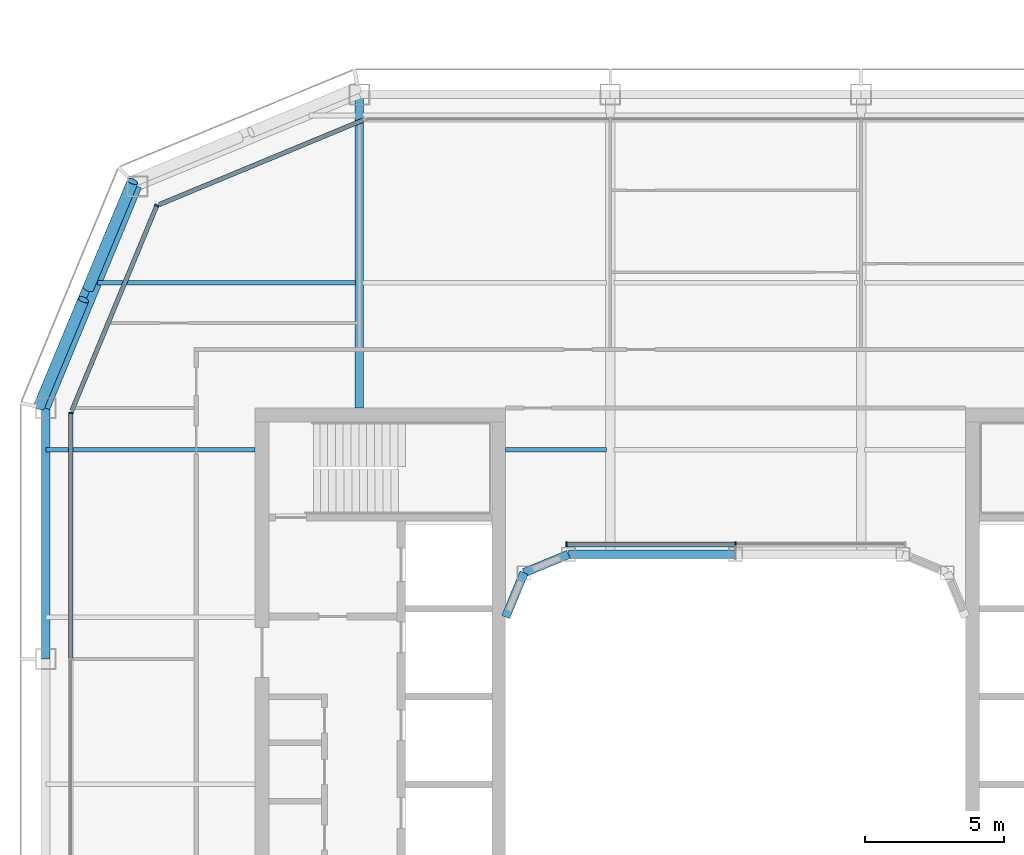
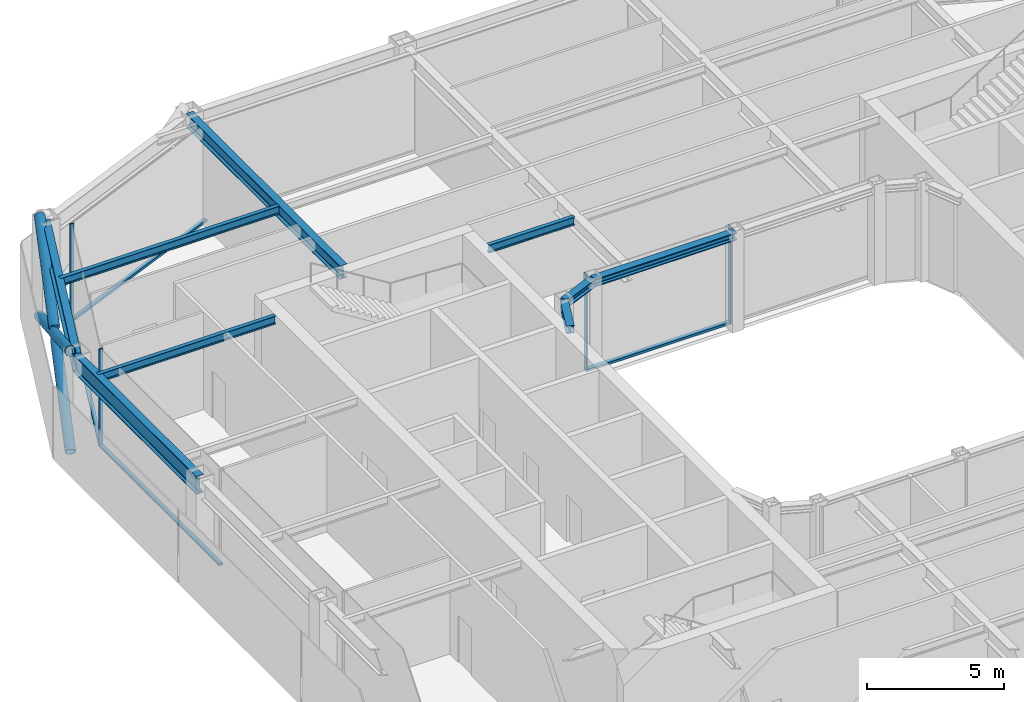
# One storey, part 6 of 20: 11 members, 9 beams, 4 elements without a shape of their own.
"""IFC4 building model written with IfcOpenShell, lengths in metres."""

from ifc_helpers import new_model, si_unit, direction, frame, origin, origin_2d, place, context, subcontext, project, spatial, rectangle, hollow_circle, i_section, extrude, material, layer, layer_set, material_profile, profile_set, type_object, element, aggregate, save


model = new_model("IFC4")

# Units and contexts
model_context = context("Model", 3, precision=1e-05, world=origin(), true_north=direction((0.0, 1.0)))
body_context = subcontext(model_context, "Body", "Model", "MODEL_VIEW")
ifc_project = project(units=[si_unit("LENGTHUNIT", "METRE"), si_unit("AREAUNIT", "SQUARE_METRE"), si_unit("VOLUMEUNIT", "CUBIC_METRE"), si_unit("PLANEANGLEUNIT", "RADIAN"), si_unit("MASSUNIT", "GRAM", prefix="KILO")], contexts=[model_context])

# Site, building, storey
site_placement = place(None, origin())
site = spatial("IfcSite", under=ifc_project, at=site_placement, CompositionType="ELEMENT")
building_placement = place(site_placement, origin())
building = spatial("IfcBuilding", under=site, at=building_placement, Name="Siwar Civic Tower", CompositionType="ELEMENT")
storey_placement = place(building_placement, frame((0.0, 0.0, 307.699951171875)))
storey = spatial("IfcBuildingStorey", under=building, at=storey_placement, Name="L66", CompositionType="ELEMENT", Elevation=307.699951171875)

# Curtain wall, member
ifc_material_1 = material(Name="Aluminium clad insulated panel", Category="aluminium")
ifc_layer_1 = layer(ifc_material_1, 0.159912109375)
ifc_layer_set_1 = layer_set([ifc_layer_1], Name="Aluminium clad insulated panel")
curtain_wall_type_1 = type_object("IfcCurtainWallType", Name="ENV-CW-DX", PredefinedType="NOTDEFINED", material=ifc_layer_set_1)
curtain_wall_1_placement = place(storey_placement, origin())
curtain_wall_1 = element("IfcCurtainWall", 1, at=curtain_wall_1_placement, inside=storey, type_object=curtain_wall_type_1, Name="Curtain wall D NW2", PredefinedType="NOTDEFINED")
ifc_material_2 = material(Name="Aluminium 6063-T6", Category="aluminium")
ifc_material_profile_1 = material_profile(ifc_material_2, rectangle(XDim=0.159912109375, YDim=0.06005859375, at=origin_2d()), Name="AL 160x60")
ifc_profile_set_1 = profile_set([ifc_material_profile_1], Name="Aluminium 6063-T6")
member_type_1 = type_object("IfcMemberType", Name="ENV-MULLION-D", PredefinedType="MULLION", material=ifc_profile_set_1)
member_1_placement = place(storey_placement, frame((-20.76611328125, 20.76611328125, 0.0), z_axis=(0.0, 0.0, 1.0), x_axis=(0.923879532511, -0.382683432365, 0.0)))
member_1 = element("IfcMember", 2, at=member_1_placement, type_object=member_type_1, Name="Mullion D NW2 1", PredefinedType="MULLION", context=body_context, shape_type="SweptSolid", body=[
    extrude(rectangle(XDim=0.159912109375, YDim=0.06005859375, at=origin_2d()), origin(), (0.0, 0.0, 1.0), 4.35009765625),
])

ifc_material_3 = material(Name="Aluminium and glass", Category="aluminium")
ifc_layer_2 = layer(ifc_material_3, 0.159912109375)
ifc_layer_set_2 = layer_set([ifc_layer_2], Name="Aluminium and glass")
curtain_wall_type_2 = type_object("IfcCurtainWallType", Name="ENV-CW-D", PredefinedType="NOTDEFINED", material=ifc_layer_set_2)
curtain_wall_2_placement = place(storey_placement, origin())
curtain_wall_2 = element("IfcCurtainWall", 3, at=curtain_wall_2_placement, inside=storey, type_object=curtain_wall_type_2, Name="Curtain wall D W", PredefinedType="NOTDEFINED")
member_2_placement = place(storey_placement, frame((-23.85009765625, 13.321044921875, 0.0), z_axis=(0.0, 0.0, 1.0), x_axis=(1.0, 0.0, 0.0)))
member_2 = element("IfcMember", 4, at=member_2_placement, type_object=member_type_1, Name="Mullion D W 1", PredefinedType="MULLION", context=body_context, shape_type="SweptSolid", body=[
    extrude(rectangle(XDim=0.159912109375, YDim=0.06005859375, at=origin_2d()), origin(), (0.0, 0.0, 1.0), 4.35009765625),
])

# Curtain wall, members
ifc_material_4 = material(Name="Aluminium and glass", Category="aluminium")
ifc_layer_3 = layer(ifc_material_4, 0.179931640625)
ifc_layer_set_3 = layer_set([ifc_layer_3], Name="Aluminium and glass")
curtain_wall_type_3 = type_object("IfcCurtainWallType", Name="ENV-CW-W", PredefinedType="NOTDEFINED", material=ifc_layer_set_3)
curtain_wall_3_placement = place(storey_placement, origin())
curtain_wall_3 = element("IfcCurtainWall", 5, at=curtain_wall_3_placement, inside=storey, type_object=curtain_wall_type_3, Name="Curtain wall W WN", PredefinedType="NOTDEFINED")
ifc_material_5 = material(Name="Aluminium 6063-T6", Category="aluminium")
ifc_material_profile_2 = material_profile(ifc_material_5, rectangle(XDim=0.179931640625, YDim=0.06005859375, at=origin_2d()), Name="AL 180x60")
ifc_profile_set_2 = profile_set([ifc_material_profile_2], Name="Aluminium 6063-T6")
member_type_2 = type_object("IfcMemberType", Name="ENV-MULLION-W", PredefinedType="MULLION", material=ifc_profile_set_2)
member_3_placement = place(storey_placement, frame((0.0, 8.610107421875, 0.0), z_axis=(0.0, 0.0, 1.0), x_axis=(0.0, -1.0, 0.0)))
member_3 = element("IfcMember", 6, at=member_3_placement, type_object=member_type_2, Name="Mullion W WN 2", PredefinedType="MULLION", context=body_context, shape_type="SweptSolid", body=[
    extrude(rectangle(XDim=0.179931640625, YDim=0.06005859375, at=origin_2d()), origin(), (0.0, 0.0, 1.0), 4.35009765625),
])
member_4_placement = place(storey_placement, frame((-6.071533203125, 8.610107421875, 0.0), z_axis=(0.0, 0.0, 1.0), x_axis=(0.0, -1.0, 0.0)))
member_4 = element("IfcMember", 7, at=member_4_placement, type_object=member_type_2, Name="Mullion W WN 3", PredefinedType="MULLION", context=body_context, shape_type="SweptSolid", body=[
    extrude(rectangle(XDim=0.179931640625, YDim=0.06005859375, at=origin_2d()), origin(), (0.0, 0.0, 1.0), 4.35009765625),
])

# Curtain wall, member
curtain_wall_4_placement = place(storey_placement, origin())
curtain_wall_4 = element("IfcCurtainWall", 8, at=curtain_wall_4_placement, inside=storey, type_object=curtain_wall_type_1, Name="Curtain wall D NW1", PredefinedType="NOTDEFINED")
ifc_material_6 = material(Name="Aluminium 6063-T6", Category="aluminium")
ifc_material_profile_3 = material_profile(ifc_material_6, rectangle(XDim=0.159912109375, YDim=0.10009765625, at=origin_2d()), Name="AL 160x100")
ifc_profile_set_3 = profile_set([ifc_material_profile_3], Name="Aluminium 6063-T6")
member_type_3 = type_object("IfcMemberType", Name="ENV-TRANSOM-D", PredefinedType="USERDEFINED", material=ifc_profile_set_3)
member_5_placement = place(storey_placement, frame((-13.3486328125, 23.838623046875, 0.050048828125), z_axis=(-0.923872756612, -0.382699790424, 0.0), x_axis=(0.382699790424, -0.923872756612, 0.0)))
member_5 = element("IfcMember", 9, at=member_5_placement, type_object=member_type_3, Name="Transom D NW1 1", ObjectType="TRANSOM", PredefinedType="USERDEFINED", context=body_context, shape_type="SweptSolid", body=[
    extrude(rectangle(XDim=0.159912109375, YDim=0.10009765625, at=origin_2d()), origin(), (0.0, 0.0, 1.0), 7.930908203125),
])
aggregate(curtain_wall_4, [member_5])

# Member
member_6_placement = place(storey_placement, frame((-20.777587890625, 20.738525390625, 0.050048828125), z_axis=(-0.382673515031, -0.923883640343, 0.0), x_axis=(0.923883640343, -0.382673515031, 0.0)))
member_6 = element("IfcMember", 10, at=member_6_placement, type_object=member_type_3, Name="Transom D NW2 1", ObjectType="TRANSOM", PredefinedType="USERDEFINED", context=body_context, shape_type="SweptSolid", body=[
    extrude(rectangle(XDim=0.159912109375, YDim=0.10009765625, at=origin_2d()), origin(), (0.0, 0.0, 1.0), 7.930908203125),
])

aggregate(curtain_wall_1, [member_1, member_6])

member_7_placement = place(storey_placement, frame((-23.85009765625, 13.291015625, 0.050048828125), z_axis=(0.0, -1.0, 0.0), x_axis=(1.0, 0.0, 0.0)))
member_7 = element("IfcMember", 11, at=member_7_placement, type_object=member_type_3, Name="Transom D W 1", ObjectType="TRANSOM", PredefinedType="USERDEFINED", context=body_context, shape_type="SweptSolid", body=[
    extrude(rectangle(XDim=0.159912109375, YDim=0.10009765625, at=origin_2d()), origin(), (0.0, 0.0, 1.0), 8.760986328125),
])

aggregate(curtain_wall_2, [member_2, member_7])

ifc_material_7 = material(Name="Aluminium 6063-T6", Category="aluminium")
ifc_material_profile_4 = material_profile(ifc_material_7, rectangle(XDim=0.179931640625, YDim=0.10009765625, at=origin_2d()), Name="AL 180x100")
ifc_profile_set_4 = profile_set([ifc_material_profile_4], Name="Aluminium 6063-T6")
member_type_4 = type_object("IfcMemberType", Name="ENV-TRANSOM-W", PredefinedType="USERDEFINED", material=ifc_profile_set_4)
member_8_placement = place(storey_placement, frame((-0.030029296875, 8.610107421875, 0.050048828125), z_axis=(-1.0, 0.0, 0.0), x_axis=(0.0, -1.0, 0.0)))
member_8 = element("IfcMember", 12, at=member_8_placement, type_object=member_type_4, Name="Transom W WN 2", ObjectType="TRANSOM", PredefinedType="USERDEFINED", context=body_context, shape_type="SweptSolid", body=[
    extrude(rectangle(XDim=0.179931640625, YDim=0.10009765625, at=origin_2d()), origin(), (0.0, 0.0, 1.0), 6.011474609375),
])

aggregate(curtain_wall_3, [member_3, member_4, member_8])

# Members
ifc_material_8 = material(Name="Steel S355", Category="steel")
ifc_material_profile_5 = material_profile(ifc_material_8, hollow_circle(Radius=0.203125, WallThickness=0.01611328125, at=origin_2d()), Name="CHS406.4x16")
ifc_profile_set_5 = profile_set([ifc_material_profile_5], Name="Steel S355")
member_type_5 = type_object("IfcMemberType", Name="STR-BR-CHS406.4x16", PredefinedType="BRACE", material=ifc_profile_set_5)
member_9_placement = place(storey_placement, frame((-21.6318359375, 21.6318359375, 0.0), z_axis=(-0.341671493852, -0.821142553604, 0.457149315816), x_axis=(0.923264922524, -0.384163874976, 0.0)))
element("IfcMember", 13, at=member_9_placement, inside=storey, type_object=member_type_5, Name="L66/brc/DNW1-5-0-1", PredefinedType="BRACE", context=body_context, shape_type="SweptSolid", body=[
    extrude(hollow_circle(Radius=0.203125, WallThickness=0.01611328125, at=origin_2d()), origin(), (0.0, 0.0, 1.0), 9.843505859375),
])
for number, where, z_axis, x_axis, name in (
    (14, (-24.9951171875, 13.548828125, 0.0), (0.341659024948, 0.821130093572, 0.45718101459), (-0.923267827529, 0.384156893273, 0.0), "L66/brc/DNW1-5-0-2"),
    (15, (-23.229736328125, 17.791259765625, 2.362060546875), (0.341652533125, 0.821166691915, 0.457120127208), (-0.923276488787, 0.38413607648, 0.0), "L66/brc/DNW1-5-0-3"),
):
    element("IfcMember", number, at=place(storey_placement, frame(where, z_axis=z_axis, x_axis=x_axis)), inside=storey, type_object=member_type_5, Name=name, PredefinedType="BRACE", context=body_context, shape_type="SweptSolid", body=[
        extrude(hollow_circle(Radius=0.203125, WallThickness=0.01611328125, at=origin_2d()), origin(), (0.0, 0.0, 1.0), 4.677001953125),
    ])

# Beams
ifc_material_9 = material(Name="Steel S355", Category="steel")
ifc_material_profile_6 = material_profile(ifc_material_9, i_section(OverallWidth=0.169921875, OverallDepth=0.360107421875, WebThickness=0.008056640625, FlangeThickness=0.0126953125, FilletRadius=0.01806640625, at=origin_2d()), Name="IPE360")
ifc_profile_set_6 = profile_set([ifc_material_profile_6], Name="Steel S355")
beam_type_1 = type_object("IfcBeamType", Name="STR-FB-IPE360", PredefinedType="JOIST", material=ifc_profile_set_6)
beam_1_placement = place(storey_placement, frame((-24.75, 12.0, 4.170166015625), z_axis=(1.0, 0.0, 0.0), x_axis=(0.0, 1.0, 0.0)))
element("IfcBeam", 16, at=beam_1_placement, inside=storey, type_object=beam_type_1, Name="L66/bm/F022", PredefinedType="JOIST", context=body_context, shape_type="SweptSolid", body=[
    extrude(i_section(OverallWidth=0.169921875, OverallDepth=0.360107421875, WebThickness=0.008056640625, FlangeThickness=0.0126953125, FilletRadius=0.01806640625, at=origin_2d()), origin(), (0.0, 0.0, 1.0), 7.5),
])
beam_2_placement = place(storey_placement, frame((-8.25, 12.0, 4.170166015625), z_axis=(1.0, 0.0, 0.0), x_axis=(0.0, 1.0, 0.0)))
element("IfcBeam", 17, at=beam_2_placement, inside=storey, type_object=beam_type_1, Name="L66/bm/F023", PredefinedType="JOIST", context=body_context, shape_type="SweptSolid", body=[
    extrude(i_section(OverallWidth=0.169921875, OverallDepth=0.360107421875, WebThickness=0.008056640625, FlangeThickness=0.0126953125, FilletRadius=0.01806640625, at=origin_2d()), origin(), (0.0, 0.0, 1.0), 3.6201171875),
])
beam_3_placement = place(storey_placement, frame((-22.885986328125, 18.0, 4.170166015625), z_axis=(1.0, 0.0, 0.0), x_axis=(0.0, 1.0, 0.0)))
element("IfcBeam", 18, at=beam_3_placement, inside=storey, type_object=beam_type_1, Name="L66/bm/F027", PredefinedType="JOIST", context=body_context, shape_type="SweptSolid", body=[
    extrude(i_section(OverallWidth=0.169921875, OverallDepth=0.360107421875, WebThickness=0.008056640625, FlangeThickness=0.0126953125, FilletRadius=0.01806640625, at=origin_2d()), origin(), (0.0, 0.0, 1.0), 9.256103515625),
])
ifc_material_10 = material(Name="Steel S355", Category="steel")
ifc_material_profile_7 = material_profile(ifc_material_10, i_section(OverallWidth=0.300048828125, OverallDepth=0.60009765625, WebThickness=0.015380859375, FlangeThickness=0.030029296875, FilletRadius=0.027099609375, at=origin_2d()), Name="HEB600")
ifc_profile_set_7 = profile_set([ifc_material_profile_7], Name="Steel S355")
beam_type_2 = type_object("IfcBeamType", Name="STR-PG-HEB600", PredefinedType="BEAM", material=ifc_profile_set_7)
beam_4_placement = place(storey_placement, frame((-13.5, 13.5, 4.050048828125), z_axis=(0.0, 1.0, 0.0), x_axis=(-1.0, 0.0, 0.0)))
element("IfcBeam", 19, at=beam_4_placement, inside=storey, type_object=beam_type_2, Name="L66/bm/G02", PredefinedType="BEAM", context=body_context, shape_type="SweptSolid", body=[
    extrude(i_section(OverallWidth=0.300048828125, OverallDepth=0.60009765625, WebThickness=0.015380859375, FlangeThickness=0.030029296875, FilletRadius=0.027099609375, at=origin_2d()), origin(), (0.0, 0.0, 1.0), 11.25),
])
ifc_material_11 = material(Name="Steel S355", Category="steel")
ifc_material_profile_8 = material_profile(ifc_material_11, i_section(OverallWidth=0.31005859375, OverallDepth=0.340087890625, WebThickness=0.02099609375, FlangeThickness=0.0390625, FilletRadius=0.027099609375, at=origin_2d()), Name="HEM300")
ifc_profile_set_8 = profile_set([ifc_material_profile_8], Name="Steel S355")
beam_type_3 = type_object("IfcBeamType", Name="STR-RB-HEM300", PredefinedType="BEAM", material=ifc_profile_set_8)
beam_5_placement = place(storey_placement, frame((-7.591064453125, 7.591064453125, 4.179931640625), z_axis=(0.923901072997, 0.382631424892, 0.0), x_axis=(-0.382631424892, 0.923901072997, 0.0)))
element("IfcBeam", 20, at=beam_5_placement, inside=storey, type_object=beam_type_3, Name="L66/bm/RN0", PredefinedType="BEAM", context=body_context, shape_type="SweptSolid", body=[
    extrude(i_section(OverallWidth=0.31005859375, OverallDepth=0.340087890625, WebThickness=0.02099609375, FlangeThickness=0.0390625, FilletRadius=0.027099609375, at=origin_2d()), origin(), (0.0, 0.0, 1.0), 1.72216796875),
])
beam_6_placement = place(storey_placement, frame((-6.0, 8.25, 4.179931640625), z_axis=(1.0, 0.0, 0.0), x_axis=(0.0, 1.0, 0.0)))
element("IfcBeam", 21, at=beam_6_placement, inside=storey, type_object=beam_type_3, Name="L66/bm/RN1", PredefinedType="BEAM", context=body_context, shape_type="SweptSolid", body=[
    extrude(i_section(OverallWidth=0.31005859375, OverallDepth=0.340087890625, WebThickness=0.02099609375, FlangeThickness=0.0390625, FilletRadius=0.027099609375, at=origin_2d()), origin(), (0.0, 0.0, 1.0), 6.0),
])
beam_7_placement = place(storey_placement, frame((-7.591064453125, 7.591064453125, 4.179931640625), z_axis=(-0.382631424892, -0.923901072997, 0.0), x_axis=(0.923901072997, -0.382631424892, 0.0)))
element("IfcBeam", 22, at=beam_7_placement, inside=storey, type_object=beam_type_3, Name="L66/bm/RNEW", PredefinedType="BEAM", context=body_context, shape_type="SweptSolid", body=[
    extrude(i_section(OverallWidth=0.31005859375, OverallDepth=0.340087890625, WebThickness=0.02099609375, FlangeThickness=0.0390625, FilletRadius=0.027099609375, at=origin_2d()), origin(), (0.0, 0.0, 1.0), 1.72216796875),
])
ifc_material_12 = material(Name="Steel S355", Category="steel")
ifc_material_profile_9 = material_profile(ifc_material_12, i_section(OverallWidth=0.300048828125, OverallDepth=0.800048828125, WebThickness=0.017578125, FlangeThickness=0.032958984375, FilletRadius=0.030029296875, at=origin_2d()), Name="HEB800")
ifc_profile_set_9 = profile_set([ifc_material_profile_9], Name="Steel S355")
beam_type_4 = type_object("IfcBeamType", Name="STR-SB-HEB800", PredefinedType="BEAM", material=ifc_profile_set_9)
beam_8_placement = place(storey_placement, frame((-21.454833984375, 21.454833984375, 3.949951171875), z_axis=(-0.382699877515, -0.923872720536, 0.0), x_axis=(0.923872720536, -0.382699877515, 0.0)))
element("IfcBeam", 23, at=beam_8_placement, inside=storey, type_object=beam_type_4, Name="L66/bm/SNW2-0", PredefinedType="BEAM", context=body_context, shape_type="SweptSolid", body=[
    extrude(i_section(OverallWidth=0.300048828125, OverallDepth=0.800048828125, WebThickness=0.017578125, FlangeThickness=0.032958984375, FilletRadius=0.030029296875, at=origin_2d()), origin(), (0.0, 0.0, 1.0), 8.6103515625),
])
beam_9_placement = place(storey_placement, frame((-24.75, 13.5, 3.949951171875), z_axis=(0.0, -1.0, 0.0), x_axis=(1.0, 0.0, 0.0)))
element("IfcBeam", 24, at=beam_9_placement, inside=storey, type_object=beam_type_4, Name="L66/bm/SW-0", PredefinedType="BEAM", context=body_context, shape_type="SweptSolid", body=[
    extrude(i_section(OverallWidth=0.300048828125, OverallDepth=0.800048828125, WebThickness=0.017578125, FlangeThickness=0.032958984375, FilletRadius=0.030029296875, at=origin_2d()), origin(), (0.0, 0.0, 1.0), 9.0),
])

save(model, "model.ifc")
